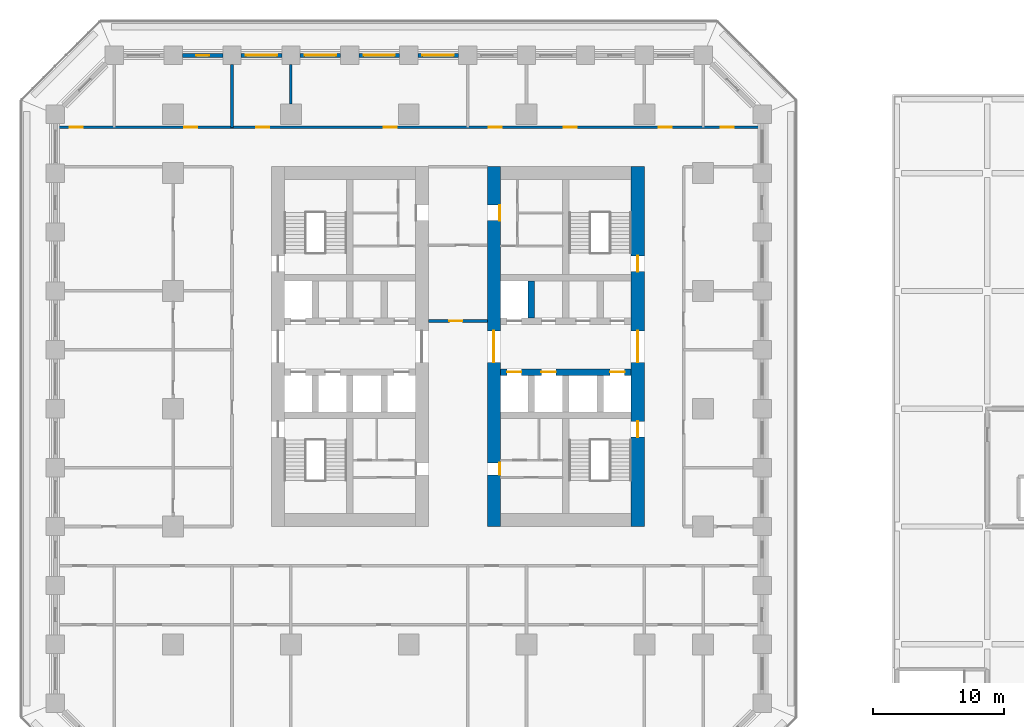
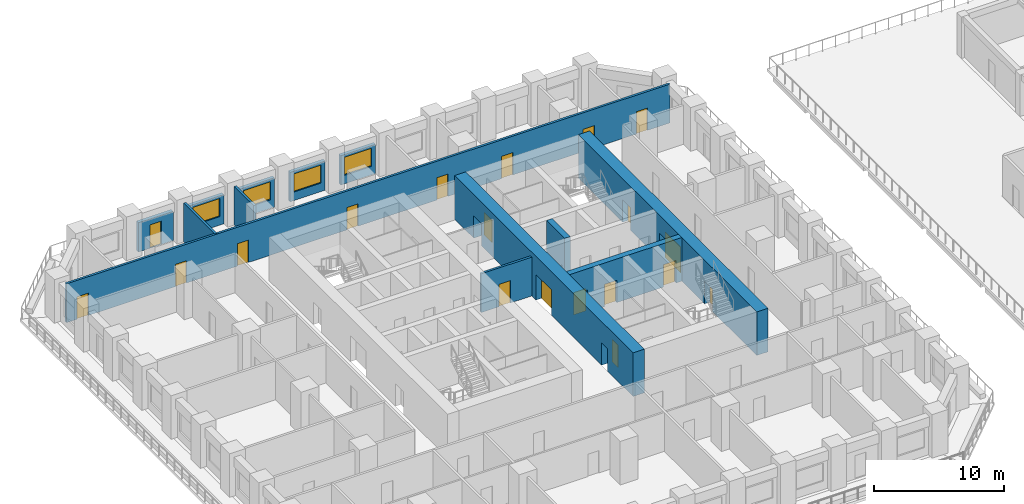
# One storey, part 22 of 30: 19 doors, 13 walls, 4 windows, 23 openings.
"""IFC4 building model written with IfcOpenShell, lengths in metres."""

from ifc_helpers import new_model, si_unit, direction, frame, frame_2d, origin, place, context, subcontext, project, spatial, rectangle, extrude, material, layer, layer_set, type_object, element, fill, save


model = new_model("IFC4")

# Units and contexts
model_context = context("Model", 3, precision=1e-05, world=origin(), true_north=direction((0.0, 1.0)))
body_context = subcontext(model_context, "Body", "Model", "MODEL_VIEW")
ifc_project = project(units=[si_unit("LENGTHUNIT", "METRE"), si_unit("AREAUNIT", "SQUARE_METRE"), si_unit("VOLUMEUNIT", "CUBIC_METRE"), si_unit("PLANEANGLEUNIT", "RADIAN"), si_unit("MASSUNIT", "GRAM", prefix="KILO")], contexts=[model_context])

# Site, building, storey
site_placement = place(None, origin())
site = spatial("IfcSite", under=ifc_project, at=site_placement, CompositionType="ELEMENT")
building_placement = place(site_placement, origin())
building = spatial("IfcBuilding", under=site, at=building_placement, Name="Corbel Stack Research Tower", CompositionType="ELEMENT")
storey_placement = place(building_placement, frame((0.0, 0.0, 19.5)))
storey = spatial("IfcBuildingStorey", under=building, at=storey_placement, Name="L04", CompositionType="ELEMENT", Elevation=19.5)

# Wall, openings, doors
ifc_material_1 = material(Name="Concrete C70/85", Category="concrete")
ifc_layer_1 = layer(ifc_material_1, 1.0)
ifc_layer_set_1 = layer_set([ifc_layer_1], Name="Concrete C70/85")
wall_type_1 = type_object("IfcWallType", Name="CW-1000-70", PredefinedType="SHEAR", material=ifc_layer_set_1)
wall_1_placement = place(storey_placement, frame((6.5, -9.0, 0.0), z_axis=(0.0, 0.0, 1.0), x_axis=(0.0, 1.0, 0.0)))
wall_1 = element("IfcWall", 1, at=wall_1_placement, inside=storey, type_object=wall_type_1, Name="East core wall, west face L04", PredefinedType="SHEAR", context=body_context, shape_type="SweptSolid", body=[
    extrude(rectangle(XDim=27.5, YDim=1.0, at=frame_2d((13.75, 0.0))), origin(), (0.0, 0.0, 1.0), 4.10009765625),
])
opening_1_placement = place(wall_1_placement, frame((12.550048828125, 0.0, 0.0)))
opening_1 = element("IfcOpeningElement", 2, at=opening_1_placement, cuts=wall_1, Name="Opening CD-E-W", PredefinedType="OPENING", context=body_context, shape_type="SweptSolid", body=[
    extrude(rectangle(XDim=2.39990234375, YDim=2.39990234375, at=frame_2d((1.199951171875, 1.199951171875))), frame((0.0, 0.510009765625, 0.0), z_axis=(0.0, -1.0, 0.0), x_axis=(1.0, 0.0, 0.0)), (0.0, 0.0, 1.0), 1.02001953125),
])
opening_2_placement = place(wall_1_placement, frame((3.955078125, 0.0, 0.0)))
opening_2 = element("IfcOpeningElement", 3, at=opening_2_placement, cuts=wall_1, Name="Opening CR-E24-W1-905", PredefinedType="OPENING", context=body_context, shape_type="SweptSolid", body=[
    extrude(rectangle(XDim=0.905029296875, YDim=2.10009765625, at=frame_2d((0.45263671875, 1.050048828125))), frame((0.0, 0.510009765625, 0.0), z_axis=(0.0, -1.0, 0.0), x_axis=(1.0, 0.0, 0.0)), (0.0, 0.0, 1.0), 1.02001953125),
])
opening_3_placement = place(wall_1_placement, frame((23.362548828125, 0.0, 0.0)))
opening_3 = element("IfcOpeningElement", 4, at=opening_3_placement, cuts=wall_1, Name="Opening CR-E24-R2-1200", PredefinedType="OPENING", context=body_context, shape_type="SweptSolid", body=[
    extrude(rectangle(XDim=1.199951171875, YDim=2.10009765625, at=frame_2d((0.60009765625, 1.050048828125))), frame((0.0, 0.510009765625, 0.0), z_axis=(0.0, -1.0, 0.0), x_axis=(1.0, 0.0, 0.0)), (0.0, 0.0, 1.0), 1.02001953125),
])
ifc_material_2 = material(Name="Painted steel fire door", Category="steel")
door_type_1 = type_object("IfcDoorType", Name="Lobby door pair 2400 x 2400 FD30S", OperationType="DOUBLE_DOOR_DOUBLE_SWING", PredefinedType="DOOR", material=ifc_material_2)
door_1_placement = place(opening_1_placement, origin())
door_1 = element("IfcDoor", 5, at=door_1_placement, inside=storey, type_object=door_type_1, Name="Lift lobby door E core W", OperationType="DOUBLE_DOOR_DOUBLE_SWING", OverallHeight=2.39990234375, OverallWidth=2.39990234375, PredefinedType="DOOR", context=body_context, shape_type="SweptSolid", body=[
    extrude(rectangle(XDim=2.39990234375, YDim=2.39990234375, at=frame_2d((1.199951171875, 1.199951171875))), frame((0.0, 0.02490234375, 0.0), z_axis=(0.0, -1.0, 0.0), x_axis=(1.0, 0.0, 0.0)), (0.0, 0.0, 1.0), 0.050048828125),
])
fill(opening_1, door_1)
ifc_material_3 = material(Name="Painted steel door", Category="steel")
door_type_2 = type_object("IfcDoorType", Name="Service door 1200 x 2100 FD30 left hand", OperationType="SINGLE_SWING_LEFT", PredefinedType="DOOR", material=ifc_material_3)
door_2_placement = place(opening_3_placement, origin())
door_2 = element("IfcDoor", 6, at=door_2_placement, inside=storey, type_object=door_type_2, Name="Service passage door E core", OperationType="SINGLE_SWING_LEFT", OverallHeight=2.10009765625, OverallWidth=1.199951171875, PredefinedType="DOOR", context=body_context, shape_type="SweptSolid", body=[
    extrude(rectangle(XDim=1.199951171875, YDim=2.10009765625, at=frame_2d((0.60009765625, 1.050048828125))), frame((0.0, -0.4248046875, 0.0), z_axis=(0.0, -1.0, 0.0), x_axis=(1.0, 0.0, 0.0)), (0.0, 0.0, 1.0), 0.050048828125),
])
fill(opening_3, door_2)
ifc_material_4 = material(Name="Painted timber door", Category="wood")
door_type_3 = type_object("IfcDoorType", Name="WC door 905 x 2100 right hand", OperationType="SINGLE_SWING_RIGHT", PredefinedType="DOOR", material=ifc_material_4)
door_3_placement = place(opening_2_placement, origin())
door_3 = element("IfcDoor", 7, at=door_3_placement, inside=storey, type_object=door_type_3, Name="WC lobby door E core", OperationType="SINGLE_SWING_RIGHT", OverallHeight=2.10009765625, OverallWidth=0.905029296875, PredefinedType="DOOR", context=body_context, shape_type="SweptSolid", body=[
    extrude(rectangle(XDim=0.905029296875, YDim=2.10009765625, at=frame_2d((0.45263671875, 1.050048828125))), frame((0.0, -0.4248046875, 0.0), z_axis=(0.0, -1.0, 0.0), x_axis=(1.0, 0.0, 0.0)), (0.0, 0.0, 1.0), 0.050048828125),
])
fill(opening_2, door_3)

wall_2_placement = place(storey_placement, frame((17.5, -9.0, 0.0), z_axis=(0.0, 0.0, 1.0), x_axis=(0.0, 1.0, 0.0)))
wall_2 = element("IfcWall", 8, at=wall_2_placement, inside=storey, type_object=wall_type_1, Name="East core wall, east face L04", PredefinedType="SHEAR", context=body_context, shape_type="SweptSolid", body=[
    extrude(rectangle(XDim=27.5, YDim=1.0, at=frame_2d((13.75, 0.0))), origin(), (0.0, 0.0, 1.0), 4.10009765625),
])
opening_4_placement = place(wall_2_placement, frame((12.550048828125, 0.0, 0.0)))
opening_4 = element("IfcOpeningElement", 9, at=opening_4_placement, cuts=wall_2, Name="Opening CD-E-E", PredefinedType="OPENING", context=body_context, shape_type="SweptSolid", body=[
    extrude(rectangle(XDim=2.39990234375, YDim=2.39990234375, at=frame_2d((1.199951171875, 1.199951171875))), frame((0.0, 0.510009765625, 0.0), z_axis=(0.0, -1.0, 0.0), x_axis=(1.0, 0.0, 0.0)), (0.0, 0.0, 1.0), 1.02001953125),
])
opening_5_placement = place(wall_2_placement, frame((6.824951171875, 0.0, 0.0)))
opening_5 = element("IfcOpeningElement", 10, at=opening_5_placement, cuts=wall_2, Name="Opening SD-ST-E1", PredefinedType="OPENING", context=body_context, shape_type="SweptSolid", body=[
    extrude(rectangle(XDim=1.199951171875, YDim=2.10009765625, at=frame_2d((0.60009765625, 1.050048828125))), frame((0.0, 0.510009765625, 0.0), z_axis=(0.0, -1.0, 0.0), x_axis=(1.0, 0.0, 0.0)), (0.0, 0.0, 1.0), 1.02001953125),
])
opening_6_placement = place(wall_2_placement, frame((19.47509765625, 0.0, 0.0)))
opening_6 = element("IfcOpeningElement", 11, at=opening_6_placement, cuts=wall_2, Name="Opening SD-ST-E2", PredefinedType="OPENING", context=body_context, shape_type="SweptSolid", body=[
    extrude(rectangle(XDim=1.199951171875, YDim=2.10009765625, at=frame_2d((0.60009765625, 1.050048828125))), frame((0.0, 0.510009765625, 0.0), z_axis=(0.0, -1.0, 0.0), x_axis=(1.0, 0.0, 0.0)), (0.0, 0.0, 1.0), 1.02001953125),
])
door_4_placement = place(opening_4_placement, origin())
door_4 = element("IfcDoor", 12, at=door_4_placement, inside=storey, type_object=door_type_1, Name="Lift lobby door E core E", OperationType="DOUBLE_DOOR_DOUBLE_SWING", OverallHeight=2.39990234375, OverallWidth=2.39990234375, PredefinedType="DOOR", context=body_context, shape_type="SweptSolid", body=[
    extrude(rectangle(XDim=2.39990234375, YDim=2.39990234375, at=frame_2d((1.199951171875, 1.199951171875))), frame((0.0, 0.02490234375, 0.0), z_axis=(0.0, -1.0, 0.0), x_axis=(1.0, 0.0, 0.0)), (0.0, 0.0, 1.0), 0.050048828125),
])
fill(opening_4, door_4)
ifc_material_5 = material(Name="Painted steel fire door", Category="steel")
door_type_4 = type_object("IfcDoorType", Name="Stair door 1200 x 2100 FD90 right hand", OperationType="SINGLE_SWING_RIGHT", PredefinedType="DOOR", material=ifc_material_5)
door_5_placement = place(opening_5_placement, frame((1.199951171875, 0.0, 0.0), z_axis=(0.0, 0.0, 1.0), x_axis=(-1.0, 0.0, 0.0)))
door_5 = element("IfcDoor", 13, at=door_5_placement, inside=storey, type_object=door_type_4, Name="Stair door ST-E1", OperationType="SINGLE_SWING_LEFT", OverallHeight=2.10009765625, OverallWidth=1.199951171875, PredefinedType="DOOR", context=body_context, shape_type="SweptSolid", body=[
    extrude(rectangle(XDim=1.199951171875, YDim=2.10009765625, at=frame_2d((0.60009765625, 1.050048828125))), frame((0.0, 0.02490234375, 0.0), z_axis=(0.0, -1.0, 0.0), x_axis=(1.0, 0.0, 0.0)), (0.0, 0.0, 1.0), 0.050048828125),
])
fill(opening_5, door_5)
door_6_placement = place(opening_6_placement, frame((1.199951171875, 0.0, 0.0), z_axis=(0.0, 0.0, 1.0), x_axis=(-1.0, 0.0, 0.0)))
door_6 = element("IfcDoor", 14, at=door_6_placement, inside=storey, type_object=door_type_4, Name="Stair door ST-E2", OperationType="SINGLE_SWING_LEFT", OverallHeight=2.10009765625, OverallWidth=1.199951171875, PredefinedType="DOOR", context=body_context, shape_type="SweptSolid", body=[
    extrude(rectangle(XDim=1.199951171875, YDim=2.10009765625, at=frame_2d((0.60009765625, 1.050048828125))), frame((0.0, 0.02490234375, 0.0), z_axis=(0.0, -1.0, 0.0), x_axis=(1.0, 0.0, 0.0)), (0.0, 0.0, 1.0), 0.050048828125),
])
fill(opening_6, door_6)

ifc_material_6 = material(Name="Concrete C70/85", Category="concrete")
ifc_layer_2 = layer(ifc_material_6, 0.5)
ifc_layer_set_2 = layer_set([ifc_layer_2], Name="Concrete C70/85")
wall_type_2 = type_object("IfcWallType", Name="CW-500-70", PredefinedType="SHEAR", material=ifc_layer_set_2)
wall_3_placement = place(storey_placement, frame((7.0, 2.800048828125, 0.0), z_axis=(0.0, 0.0, 1.0), x_axis=(1.0, 0.0, 0.0)))
wall_3 = element("IfcWall", 15, at=wall_3_placement, inside=storey, type_object=wall_type_2, Name="East core wall, lobby south L04", PredefinedType="SHEAR", context=body_context, shape_type="SweptSolid", body=[
    extrude(rectangle(XDim=10.0, YDim=0.5, at=frame_2d((5.0, 0.0))), origin(), (0.0, 0.0, 1.0), 4.10009765625),
])
opening_7_placement = place(wall_3_placement, frame((0.512451171875, 0.0, 0.0)))
opening_7 = element("IfcOpeningElement", 16, at=opening_7_placement, cuts=wall_3, Name="Opening LD-FS2", PredefinedType="OPENING", context=body_context, shape_type="SweptSolid", body=[
    extrude(rectangle(XDim=1.10009765625, YDim=2.10009765625, at=frame_2d((0.550048828125, 1.050048828125))), frame((0.0, 0.260009765625, 0.0), z_axis=(0.0, -1.0, 0.0), x_axis=(1.0, 0.0, 0.0)), (0.0, 0.0, 1.0), 0.52001953125),
])
opening_8_placement = place(wall_3_placement, frame((3.137451171875, 0.0, 0.0)))
opening_8 = element("IfcOpeningElement", 17, at=opening_8_placement, cuts=wall_3, Name="Opening LD-GL2", PredefinedType="OPENING", context=body_context, shape_type="SweptSolid", body=[
    extrude(rectangle(XDim=1.10009765625, YDim=2.10009765625, at=frame_2d((0.550048828125, 1.050048828125))), frame((0.0, 0.260009765625, 0.0), z_axis=(0.0, -1.0, 0.0), x_axis=(1.0, 0.0, 0.0)), (0.0, 0.0, 1.0), 0.52001953125),
])
opening_9_placement = place(wall_3_placement, frame((8.387451171875, 0.0, 0.0)))
opening_9 = element("IfcOpeningElement", 18, at=opening_9_placement, cuts=wall_3, Name="Opening LD-LR3", PredefinedType="OPENING", context=body_context, shape_type="SweptSolid", body=[
    extrude(rectangle(XDim=1.10009765625, YDim=2.10009765625, at=frame_2d((0.550048828125, 1.050048828125))), frame((0.0, 0.260009765625, 0.0), z_axis=(0.0, -1.0, 0.0), x_axis=(1.0, 0.0, 0.0)), (0.0, 0.0, 1.0), 0.52001953125),
])
ifc_material_7 = material(Name="Stainless steel landing door", Category="steel")
door_type_5 = type_object("IfcDoorType", Name="Lift landing door 1100 x 2100", OperationType="DOUBLE_DOOR_SLIDING", PredefinedType="DOOR", material=ifc_material_7)
door_7_placement = place(opening_7_placement, origin())
door_7 = element("IfcDoor", 19, at=door_7_placement, inside=storey, type_object=door_type_5, Name="Landing door FS2", OperationType="DOUBLE_DOOR_SLIDING", OverallHeight=2.10009765625, OverallWidth=1.10009765625, PredefinedType="DOOR", context=body_context, shape_type="SweptSolid", body=[
    extrude(rectangle(XDim=1.10009765625, YDim=2.10009765625, at=frame_2d((0.550048828125, 1.050048828125))), frame((0.0, 0.02490234375, 0.0), z_axis=(0.0, -1.0, 0.0), x_axis=(1.0, 0.0, 0.0)), (0.0, 0.0, 1.0), 0.050048828125),
])
fill(opening_7, door_7)
door_8_placement = place(opening_8_placement, origin())
door_8 = element("IfcDoor", 20, at=door_8_placement, inside=storey, type_object=door_type_5, Name="Landing door GL2", OperationType="DOUBLE_DOOR_SLIDING", OverallHeight=2.10009765625, OverallWidth=1.10009765625, PredefinedType="DOOR", context=body_context, shape_type="SweptSolid", body=[
    extrude(rectangle(XDim=1.10009765625, YDim=2.10009765625, at=frame_2d((0.550048828125, 1.050048828125))), frame((0.0, 0.02490234375, 0.0), z_axis=(0.0, -1.0, 0.0), x_axis=(1.0, 0.0, 0.0)), (0.0, 0.0, 1.0), 0.050048828125),
])
fill(opening_8, door_8)
door_9_placement = place(opening_9_placement, origin())
door_9 = element("IfcDoor", 21, at=door_9_placement, inside=storey, type_object=door_type_5, Name="Landing door LR3", OperationType="DOUBLE_DOOR_SLIDING", OverallHeight=2.10009765625, OverallWidth=1.10009765625, PredefinedType="DOOR", context=body_context, shape_type="SweptSolid", body=[
    extrude(rectangle(XDim=1.10009765625, YDim=2.10009765625, at=frame_2d((0.550048828125, 1.050048828125))), frame((0.0, 0.02490234375, 0.0), z_axis=(0.0, -1.0, 0.0), x_axis=(1.0, 0.0, 0.0)), (0.0, 0.0, 1.0), 0.050048828125),
])
fill(opening_9, door_9)

# Walls
wall_4_placement = place(storey_placement, frame((9.375, 6.949951171875, 0.0), z_axis=(0.0, 0.0, 1.0), x_axis=(0.0, 1.0, 0.0)))
element("IfcWall", 22, at=wall_4_placement, inside=storey, type_object=wall_type_2, Name="East core wall, north shaft 1 L04", PredefinedType="SHEAR", context=body_context, shape_type="SweptSolid", body=[
    extrude(rectangle(XDim=2.800048828125, YDim=0.5, at=frame_2d((1.39990234375, 0.0))), origin(), (0.0, 0.0, 1.0), 4.10009765625),
])
ifc_material_8 = material(Name="Fire-rated gypsum board partition on steel studs", Category="steel")
ifc_layer_3 = layer(ifc_material_8, 0.199951171875)
ifc_layer_set_3 = layer_set([ifc_layer_3], Name="Fire-rated gypsum board partition on steel studs")
wall_type_3 = type_object("IfcWallType", Name="Fire-rated partition 200 EI 60", PredefinedType="PARTITIONING", material=ifc_layer_set_3)
wall_5_placement = place(storey_placement, frame((-13.5, 21.5, 0.0), z_axis=(0.0, 0.0, 1.0), x_axis=(0.0, 1.0, 0.0)))
element("IfcWall", 23, at=wall_5_placement, inside=storey, type_object=wall_type_3, Name="Partition L04-008", PredefinedType="PARTITIONING", context=body_context, shape_type="SweptSolid", body=[
    extrude(rectangle(XDim=4.800048828125, YDim=0.199951171875, at=frame_2d((2.39990234375, 0.0))), origin(), (0.0, 0.0, 1.0), 3.64990234375),
])
wall_6_placement = place(storey_placement, frame((-9.0, 23.300048828125, 0.0), z_axis=(0.0, 0.0, 1.0), x_axis=(0.0, 1.0, 0.0)))
element("IfcWall", 24, at=wall_6_placement, inside=storey, type_object=wall_type_3, Name="Partition L04-011", PredefinedType="PARTITIONING", context=body_context, shape_type="SweptSolid", body=[
    extrude(rectangle(XDim=3.0, YDim=0.199951171875, at=frame_2d((1.5, 0.0))), origin(), (0.0, 0.0, 1.0), 3.64990234375),
])

# Wall, opening, door
wall_7_placement = place(storey_placement, frame((1.5, 6.699951171875, 0.0), z_axis=(0.0, 0.0, 1.0), x_axis=(1.0, 0.0, 0.0)))
wall_7 = element("IfcWall", 25, at=wall_7_placement, inside=storey, type_object=wall_type_3, Name="Partition L04-034", PredefinedType="PARTITIONING", context=body_context, shape_type="SweptSolid", body=[
    extrude(rectangle(XDim=4.5, YDim=0.199951171875, at=frame_2d((2.25, 0.0))), origin(), (0.0, 0.0, 1.0), 3.64990234375),
])
opening_10_placement = place(wall_7_placement, frame((1.60009765625, 0.0, 0.0)))
opening_10 = element("IfcOpeningElement", 26, at=opening_10_placement, cuts=wall_7, Name="Opening B1V1-026", PredefinedType="OPENING", context=body_context, shape_type="SweptSolid", body=[
    extrude(rectangle(XDim=1.0, YDim=2.10009765625, at=frame_2d((0.5, 1.050048828125))), frame((0.0, 0.10986328125, 0.0), z_axis=(0.0, -1.0, 0.0), x_axis=(1.0, 0.0, 0.0)), (0.0, 0.0, 1.0), 0.219970703125),
])
ifc_material_9 = material(Name="Painted steel fire door", Category="steel")
door_type_6 = type_object("IfcDoorType", Name="Fire door FD30S 1000 x 2100", OperationType="NOTDEFINED", PredefinedType="DOOR", material=ifc_material_9)
door_10_placement = place(opening_10_placement, origin())
door_10 = element("IfcDoor", 27, at=door_10_placement, inside=storey, type_object=door_type_6, Name="Door B1V1-026", OperationType="SINGLE_SWING_LEFT", OverallHeight=2.10009765625, OverallWidth=1.0, PredefinedType="DOOR", context=body_context, shape_type="SweptSolid", body=[
    extrude(rectangle(XDim=1.0, YDim=2.10009765625, at=frame_2d((0.5, 1.050048828125))), frame((0.0, 0.02490234375, 0.0), z_axis=(0.0, -1.0, 0.0), x_axis=(1.0, 0.0, 0.0)), (0.0, 0.0, 1.0), 0.050048828125),
])
fill(opening_10, door_10)

# Wall, openings, doors
wall_8_placement = place(storey_placement, frame((-26.85009765625, 21.5, 0.0), z_axis=(0.0, 0.0, 1.0), x_axis=(1.0, 0.0, 0.0)))
wall_8 = element("IfcWall", 28, at=wall_8_placement, inside=storey, type_object=wall_type_3, Name="Partition L04-045", PredefinedType="PARTITIONING", context=body_context, shape_type="SweptSolid", body=[
    extrude(rectangle(XDim=53.7001953125, YDim=0.199951171875, at=frame_2d((26.85009765625, 0.0))), origin(), (0.0, 0.0, 1.0), 3.64990234375),
])
opening_11_placement = place(wall_8_placement, frame((0.949951171875, 0.0, 0.0)))
opening_11 = element("IfcOpeningElement", 29, at=opening_11_placement, cuts=wall_8, Name="Opening B1V1-031", PredefinedType="OPENING", context=body_context, shape_type="SweptSolid", body=[
    extrude(rectangle(XDim=1.0, YDim=2.10009765625, at=frame_2d((0.5, 1.050048828125))), frame((0.0, 0.10986328125, 0.0), z_axis=(0.0, -1.0, 0.0), x_axis=(1.0, 0.0, 0.0)), (0.0, 0.0, 1.0), 0.219970703125),
])
opening_12_placement = place(wall_8_placement, frame((9.699951171875, 0.0, 0.0)))
opening_12 = element("IfcOpeningElement", 30, at=opening_12_placement, cuts=wall_8, Name="Opening B1V1-032", PredefinedType="OPENING", context=body_context, shape_type="SweptSolid", body=[
    extrude(rectangle(XDim=1.0, YDim=2.10009765625, at=frame_2d((0.5, 1.050048828125))), frame((0.0, 0.10986328125, 0.0), z_axis=(0.0, -1.0, 0.0), x_axis=(1.0, 0.0, 0.0)), (0.0, 0.0, 1.0), 0.219970703125),
])
opening_13_placement = place(wall_8_placement, frame((15.199951171875, 0.0, 0.0)))
opening_13 = element("IfcOpeningElement", 31, at=opening_13_placement, cuts=wall_8, Name="Opening B1V1-033", PredefinedType="OPENING", context=body_context, shape_type="SweptSolid", body=[
    extrude(rectangle(XDim=1.0, YDim=2.10009765625, at=frame_2d((0.5, 1.050048828125))), frame((0.0, 0.10986328125, 0.0), z_axis=(0.0, -1.0, 0.0), x_axis=(1.0, 0.0, 0.0)), (0.0, 0.0, 1.0), 0.219970703125),
])
opening_14_placement = place(wall_8_placement, frame((24.949951171875, 0.0, 0.0)))
opening_14 = element("IfcOpeningElement", 32, at=opening_14_placement, cuts=wall_8, Name="Opening B1V1-034", PredefinedType="OPENING", context=body_context, shape_type="SweptSolid", body=[
    extrude(rectangle(XDim=1.0, YDim=2.10009765625, at=frame_2d((0.5, 1.050048828125))), frame((0.0, 0.10986328125, 0.0), z_axis=(0.0, -1.0, 0.0), x_axis=(1.0, 0.0, 0.0)), (0.0, 0.0, 1.0), 0.219970703125),
])
opening_15_placement = place(wall_8_placement, frame((32.949951171875, 0.0, 0.0)))
opening_15 = element("IfcOpeningElement", 33, at=opening_15_placement, cuts=wall_8, Name="Opening B1V1-035", PredefinedType="OPENING", context=body_context, shape_type="SweptSolid", body=[
    extrude(rectangle(XDim=1.0, YDim=2.10009765625, at=frame_2d((0.5, 1.050048828125))), frame((0.0, 0.10986328125, 0.0), z_axis=(0.0, -1.0, 0.0), x_axis=(1.0, 0.0, 0.0)), (0.0, 0.0, 1.0), 0.219970703125),
])
opening_16_placement = place(wall_8_placement, frame((38.699951171875, 0.0, 0.0)))
opening_16 = element("IfcOpeningElement", 34, at=opening_16_placement, cuts=wall_8, Name="Opening B1V1-036", PredefinedType="OPENING", context=body_context, shape_type="SweptSolid", body=[
    extrude(rectangle(XDim=1.0, YDim=2.10009765625, at=frame_2d((0.5, 1.050048828125))), frame((0.0, 0.10986328125, 0.0), z_axis=(0.0, -1.0, 0.0), x_axis=(1.0, 0.0, 0.0)), (0.0, 0.0, 1.0), 0.219970703125),
])
opening_17_placement = place(wall_8_placement, frame((45.949951171875, 0.0, 0.0)))
opening_17 = element("IfcOpeningElement", 35, at=opening_17_placement, cuts=wall_8, Name="Opening B1V1-037", PredefinedType="OPENING", context=body_context, shape_type="SweptSolid", body=[
    extrude(rectangle(XDim=1.0, YDim=2.10009765625, at=frame_2d((0.5, 1.050048828125))), frame((0.0, 0.10986328125, 0.0), z_axis=(0.0, -1.0, 0.0), x_axis=(1.0, 0.0, 0.0)), (0.0, 0.0, 1.0), 0.219970703125),
])
opening_18_placement = place(wall_8_placement, frame((50.699951171875, 0.0, 0.0)))
opening_18 = element("IfcOpeningElement", 36, at=opening_18_placement, cuts=wall_8, Name="Opening B1V1-038", PredefinedType="OPENING", context=body_context, shape_type="SweptSolid", body=[
    extrude(rectangle(XDim=1.0, YDim=2.10009765625, at=frame_2d((0.5, 1.050048828125))), frame((0.0, 0.10986328125, 0.0), z_axis=(0.0, -1.0, 0.0), x_axis=(1.0, 0.0, 0.0)), (0.0, 0.0, 1.0), 0.219970703125),
])
door_11_placement = place(opening_11_placement, origin())
door_11 = element("IfcDoor", 37, at=door_11_placement, inside=storey, type_object=door_type_6, Name="Door B1V1-031", OperationType="SINGLE_SWING_LEFT", OverallHeight=2.10009765625, OverallWidth=1.0, PredefinedType="DOOR", context=body_context, shape_type="SweptSolid", body=[
    extrude(rectangle(XDim=1.0, YDim=2.10009765625, at=frame_2d((0.5, 1.050048828125))), frame((0.0, 0.02490234375, 0.0), z_axis=(0.0, -1.0, 0.0), x_axis=(1.0, 0.0, 0.0)), (0.0, 0.0, 1.0), 0.050048828125),
])
fill(opening_11, door_11)
door_12_placement = place(opening_12_placement, origin())
door_12 = element("IfcDoor", 38, at=door_12_placement, inside=storey, type_object=door_type_6, Name="Door B1V1-032", OperationType="SINGLE_SWING_LEFT", OverallHeight=2.10009765625, OverallWidth=1.0, PredefinedType="DOOR", context=body_context, shape_type="SweptSolid", body=[
    extrude(rectangle(XDim=1.0, YDim=2.10009765625, at=frame_2d((0.5, 1.050048828125))), frame((0.0, 0.02490234375, 0.0), z_axis=(0.0, -1.0, 0.0), x_axis=(1.0, 0.0, 0.0)), (0.0, 0.0, 1.0), 0.050048828125),
])
fill(opening_12, door_12)
door_13_placement = place(opening_13_placement, origin())
door_13 = element("IfcDoor", 39, at=door_13_placement, inside=storey, type_object=door_type_6, Name="Door B1V1-033", OperationType="SINGLE_SWING_LEFT", OverallHeight=2.10009765625, OverallWidth=1.0, PredefinedType="DOOR", context=body_context, shape_type="SweptSolid", body=[
    extrude(rectangle(XDim=1.0, YDim=2.10009765625, at=frame_2d((0.5, 1.050048828125))), frame((0.0, 0.02490234375, 0.0), z_axis=(0.0, -1.0, 0.0), x_axis=(1.0, 0.0, 0.0)), (0.0, 0.0, 1.0), 0.050048828125),
])
fill(opening_13, door_13)
door_14_placement = place(opening_14_placement, origin())
door_14 = element("IfcDoor", 40, at=door_14_placement, inside=storey, type_object=door_type_6, Name="Door B1V1-034", OperationType="SINGLE_SWING_LEFT", OverallHeight=2.10009765625, OverallWidth=1.0, PredefinedType="DOOR", context=body_context, shape_type="SweptSolid", body=[
    extrude(rectangle(XDim=1.0, YDim=2.10009765625, at=frame_2d((0.5, 1.050048828125))), frame((0.0, 0.02490234375, 0.0), z_axis=(0.0, -1.0, 0.0), x_axis=(1.0, 0.0, 0.0)), (0.0, 0.0, 1.0), 0.050048828125),
])
fill(opening_14, door_14)
door_15_placement = place(opening_15_placement, origin())
door_15 = element("IfcDoor", 41, at=door_15_placement, inside=storey, type_object=door_type_6, Name="Door B1V1-035", OperationType="SINGLE_SWING_RIGHT", OverallHeight=2.10009765625, OverallWidth=1.0, PredefinedType="DOOR", context=body_context, shape_type="SweptSolid", body=[
    extrude(rectangle(XDim=1.0, YDim=2.10009765625, at=frame_2d((0.5, 1.050048828125))), frame((0.0, 0.02490234375, 0.0), z_axis=(0.0, -1.0, 0.0), x_axis=(1.0, 0.0, 0.0)), (0.0, 0.0, 1.0), 0.050048828125),
])
fill(opening_15, door_15)
door_16_placement = place(opening_16_placement, origin())
door_16 = element("IfcDoor", 42, at=door_16_placement, inside=storey, type_object=door_type_6, Name="Door B1V1-036", OperationType="SINGLE_SWING_RIGHT", OverallHeight=2.10009765625, OverallWidth=1.0, PredefinedType="DOOR", context=body_context, shape_type="SweptSolid", body=[
    extrude(rectangle(XDim=1.0, YDim=2.10009765625, at=frame_2d((0.5, 1.050048828125))), frame((0.0, 0.02490234375, 0.0), z_axis=(0.0, -1.0, 0.0), x_axis=(1.0, 0.0, 0.0)), (0.0, 0.0, 1.0), 0.050048828125),
])
fill(opening_16, door_16)
door_17_placement = place(opening_17_placement, origin())
door_17 = element("IfcDoor", 43, at=door_17_placement, inside=storey, type_object=door_type_6, Name="Door B1V1-037", OperationType="SINGLE_SWING_RIGHT", OverallHeight=2.10009765625, OverallWidth=1.0, PredefinedType="DOOR", context=body_context, shape_type="SweptSolid", body=[
    extrude(rectangle(XDim=1.0, YDim=2.10009765625, at=frame_2d((0.5, 1.050048828125))), frame((0.0, 0.02490234375, 0.0), z_axis=(0.0, -1.0, 0.0), x_axis=(1.0, 0.0, 0.0)), (0.0, 0.0, 1.0), 0.050048828125),
])
fill(opening_17, door_17)
door_18_placement = place(opening_18_placement, origin())
door_18 = element("IfcDoor", 44, at=door_18_placement, inside=storey, type_object=door_type_6, Name="Door B1V1-038", OperationType="SINGLE_SWING_RIGHT", OverallHeight=2.10009765625, OverallWidth=1.0, PredefinedType="DOOR", context=body_context, shape_type="SweptSolid", body=[
    extrude(rectangle(XDim=1.0, YDim=2.10009765625, at=frame_2d((0.5, 1.050048828125))), frame((0.0, 0.02490234375, 0.0), z_axis=(0.0, -1.0, 0.0), x_axis=(1.0, 0.0, 0.0)), (0.0, 0.0, 1.0), 0.050048828125),
])
fill(opening_18, door_18)

# Wall, opening, window
ifc_material_10 = material(Name="Concrete C45/55", Category="concrete")
ifc_layer_4 = layer(ifc_material_10, 0.300048828125)
ifc_layer_set_4 = layer_set([ifc_layer_4], Name="Concrete C45/55")
wall_type_4 = type_object("IfcWallType", Name="Terracotta-faced concrete wall 300", PredefinedType="SOLIDWALL", material=ifc_layer_set_4)
wall_9_placement = place(storey_placement, frame((0.699951171875, 27.0, 0.0), z_axis=(0.0, 0.0, 1.0), x_axis=(1.0, 0.0, 0.0)))
wall_9 = element("IfcWall", 45, at=wall_9_placement, inside=storey, type_object=wall_type_4, Name="Facade wall L04 N05", PredefinedType="SOLIDWALL", context=body_context, shape_type="SweptSolid", body=[
    extrude(rectangle(XDim=3.10009765625, YDim=0.300048828125, at=frame_2d((1.550048828125, 0.0))), origin(), (0.0, 0.0, 1.0), 2.75),
])
opening_19_placement = place(wall_9_placement, frame((0.35009765625, 0.0, 0.800048828125)))
opening_19 = element("IfcOpeningElement", 46, at=opening_19_placement, cuts=wall_9, Name="Opening W1", PredefinedType="OPENING", context=body_context, shape_type="SweptSolid", body=[
    extrude(rectangle(XDim=2.39990234375, YDim=1.699951171875, at=frame_2d((1.199951171875, 0.85009765625))), frame((0.0, 0.159912109375, 0.0), z_axis=(0.0, -1.0, 0.0), x_axis=(1.0, 0.0, 0.0)), (0.0, 0.0, 1.0), 0.320068359375),
])
ifc_material_11 = material(Name="Aluminium frame, clear double glazing", Category="aluminium")
window_type = type_object("IfcWindowType", Name="Window W1 2400 x 1700", PartitioningType="SINGLE_PANEL", PredefinedType="WINDOW", material=ifc_material_11)
window_1_placement = place(opening_19_placement, origin())
window_1 = element("IfcWindow", 47, at=window_1_placement, inside=storey, type_object=window_type, Name="Window W1 L04 N05", OverallHeight=1.699951171875, OverallWidth=2.39990234375, PartitioningType="SINGLE_PANEL", PredefinedType="WINDOW", context=body_context, shape_type="SweptSolid", body=[
    extrude(rectangle(XDim=2.39990234375, YDim=1.699951171875, at=frame_2d((1.199951171875, 0.85009765625))), frame((0.0, 0.030029296875, 0.0), z_axis=(0.0, -1.0, 0.0), x_axis=(1.0, 0.0, 0.0)), (0.0, 0.0, 1.0), 0.06005859375),
])
fill(opening_19, window_1)

wall_10_placement = place(storey_placement, frame((-3.800048828125, 27.0, 0.0), z_axis=(0.0, 0.0, 1.0), x_axis=(1.0, 0.0, 0.0)))
wall_10 = element("IfcWall", 48, at=wall_10_placement, inside=storey, type_object=wall_type_4, Name="Facade wall L04 N06", PredefinedType="SOLIDWALL", context=body_context, shape_type="SweptSolid", body=[
    extrude(rectangle(XDim=3.10009765625, YDim=0.300048828125, at=frame_2d((1.550048828125, 0.0))), origin(), (0.0, 0.0, 1.0), 2.75),
])
opening_20_placement = place(wall_10_placement, frame((0.35009765625, 0.0, 0.800048828125)))
opening_20 = element("IfcOpeningElement", 49, at=opening_20_placement, cuts=wall_10, Name="Opening W1", PredefinedType="OPENING", context=body_context, shape_type="SweptSolid", body=[
    extrude(rectangle(XDim=2.39990234375, YDim=1.699951171875, at=frame_2d((1.199951171875, 0.85009765625))), frame((0.0, 0.159912109375, 0.0), z_axis=(0.0, -1.0, 0.0), x_axis=(1.0, 0.0, 0.0)), (0.0, 0.0, 1.0), 0.320068359375),
])
window_2_placement = place(opening_20_placement, origin())
window_2 = element("IfcWindow", 50, at=window_2_placement, inside=storey, type_object=window_type, Name="Window W1 L04 N06", OverallHeight=1.699951171875, OverallWidth=2.39990234375, PartitioningType="SINGLE_PANEL", PredefinedType="WINDOW", context=body_context, shape_type="SweptSolid", body=[
    extrude(rectangle(XDim=2.39990234375, YDim=1.699951171875, at=frame_2d((1.199951171875, 0.85009765625))), frame((0.0, 0.030029296875, 0.0), z_axis=(0.0, -1.0, 0.0), x_axis=(1.0, 0.0, 0.0)), (0.0, 0.0, 1.0), 0.06005859375),
])
fill(opening_20, window_2)

wall_11_placement = place(storey_placement, frame((-8.300048828125, 27.0, 0.0), z_axis=(0.0, 0.0, 1.0), x_axis=(1.0, 0.0, 0.0)))
wall_11 = element("IfcWall", 51, at=wall_11_placement, inside=storey, type_object=wall_type_4, Name="Facade wall L04 N07", PredefinedType="SOLIDWALL", context=body_context, shape_type="SweptSolid", body=[
    extrude(rectangle(XDim=3.10009765625, YDim=0.300048828125, at=frame_2d((1.550048828125, 0.0))), origin(), (0.0, 0.0, 1.0), 2.75),
])
opening_21_placement = place(wall_11_placement, frame((0.35009765625, 0.0, 0.800048828125)))
opening_21 = element("IfcOpeningElement", 52, at=opening_21_placement, cuts=wall_11, Name="Opening W1", PredefinedType="OPENING", context=body_context, shape_type="SweptSolid", body=[
    extrude(rectangle(XDim=2.39990234375, YDim=1.699951171875, at=frame_2d((1.199951171875, 0.85009765625))), frame((0.0, 0.159912109375, 0.0), z_axis=(0.0, -1.0, 0.0), x_axis=(1.0, 0.0, 0.0)), (0.0, 0.0, 1.0), 0.320068359375),
])
window_3_placement = place(opening_21_placement, origin())
window_3 = element("IfcWindow", 53, at=window_3_placement, inside=storey, type_object=window_type, Name="Window W1 L04 N07", OverallHeight=1.699951171875, OverallWidth=2.39990234375, PartitioningType="SINGLE_PANEL", PredefinedType="WINDOW", context=body_context, shape_type="SweptSolid", body=[
    extrude(rectangle(XDim=2.39990234375, YDim=1.699951171875, at=frame_2d((1.199951171875, 0.85009765625))), frame((0.0, 0.030029296875, 0.0), z_axis=(0.0, -1.0, 0.0), x_axis=(1.0, 0.0, 0.0)), (0.0, 0.0, 1.0), 0.06005859375),
])
fill(opening_21, window_3)

wall_12_placement = place(storey_placement, frame((-12.800048828125, 27.0, 0.0), z_axis=(0.0, 0.0, 1.0), x_axis=(1.0, 0.0, 0.0)))
wall_12 = element("IfcWall", 54, at=wall_12_placement, inside=storey, type_object=wall_type_4, Name="Facade wall L04 N08", PredefinedType="SOLIDWALL", context=body_context, shape_type="SweptSolid", body=[
    extrude(rectangle(XDim=3.10009765625, YDim=0.300048828125, at=frame_2d((1.550048828125, 0.0))), origin(), (0.0, 0.0, 1.0), 2.75),
])
opening_22_placement = place(wall_12_placement, frame((0.35009765625, 0.0, 0.800048828125)))
opening_22 = element("IfcOpeningElement", 55, at=opening_22_placement, cuts=wall_12, Name="Opening W1", PredefinedType="OPENING", context=body_context, shape_type="SweptSolid", body=[
    extrude(rectangle(XDim=2.39990234375, YDim=1.699951171875, at=frame_2d((1.199951171875, 0.85009765625))), frame((0.0, 0.159912109375, 0.0), z_axis=(0.0, -1.0, 0.0), x_axis=(1.0, 0.0, 0.0)), (0.0, 0.0, 1.0), 0.320068359375),
])
window_4_placement = place(opening_22_placement, origin())
window_4 = element("IfcWindow", 56, at=window_4_placement, inside=storey, type_object=window_type, Name="Window W1 L04 N08", OverallHeight=1.699951171875, OverallWidth=2.39990234375, PartitioningType="SINGLE_PANEL", PredefinedType="WINDOW", context=body_context, shape_type="SweptSolid", body=[
    extrude(rectangle(XDim=2.39990234375, YDim=1.699951171875, at=frame_2d((1.199951171875, 0.85009765625))), frame((0.0, 0.030029296875, 0.0), z_axis=(0.0, -1.0, 0.0), x_axis=(1.0, 0.0, 0.0)), (0.0, 0.0, 1.0), 0.06005859375),
])
fill(opening_22, window_4)

# Wall, opening, door
wall_13_placement = place(storey_placement, frame((-17.300048828125, 27.0, 0.0), z_axis=(0.0, 0.0, 1.0), x_axis=(1.0, 0.0, 0.0)))
wall_13 = element("IfcWall", 57, at=wall_13_placement, inside=storey, type_object=wall_type_4, Name="Facade wall L04 N09", PredefinedType="SOLIDWALL", context=body_context, shape_type="SweptSolid", body=[
    extrude(rectangle(XDim=3.10009765625, YDim=0.300048828125, at=frame_2d((1.550048828125, 0.0))), origin(), (0.0, 0.0, 1.0), 2.75),
])
opening_23_placement = place(wall_13_placement, frame((1.050048828125, 0.0, 0.0)))
opening_23 = element("IfcOpeningElement", 58, at=opening_23_placement, cuts=wall_13, Name="Opening L04-B08", PredefinedType="OPENING", context=body_context, shape_type="SweptSolid", body=[
    extrude(rectangle(XDim=1.0, YDim=2.199951171875, at=frame_2d((0.5, 1.10009765625))), frame((0.0, 0.159912109375, 0.0), z_axis=(0.0, -1.0, 0.0), x_axis=(1.0, 0.0, 0.0)), (0.0, 0.0, 1.0), 0.320068359375),
])
ifc_material_12 = material(Name="Aluminium frame, clear double glazing", Category="aluminium")
door_type_7 = type_object("IfcDoorType", Name="Balcony door BD1 1000 x 2200", OperationType="NOTDEFINED", PredefinedType="DOOR", material=ifc_material_12)
door_19_placement = place(opening_23_placement, origin())
door_19 = element("IfcDoor", 59, at=door_19_placement, inside=storey, type_object=door_type_7, Name="Balcony door L04-B08", OperationType="SINGLE_SWING_LEFT", OverallHeight=2.199951171875, OverallWidth=1.0, PredefinedType="DOOR", context=body_context, shape_type="SweptSolid", body=[
    extrude(rectangle(XDim=1.0, YDim=2.199951171875, at=frame_2d((0.5, 1.10009765625))), frame((0.0, 0.02490234375, 0.0), z_axis=(0.0, -1.0, 0.0), x_axis=(1.0, 0.0, 0.0)), (0.0, 0.0, 1.0), 0.050048828125),
])
fill(opening_23, door_19)

save(model, "model.ifc")
